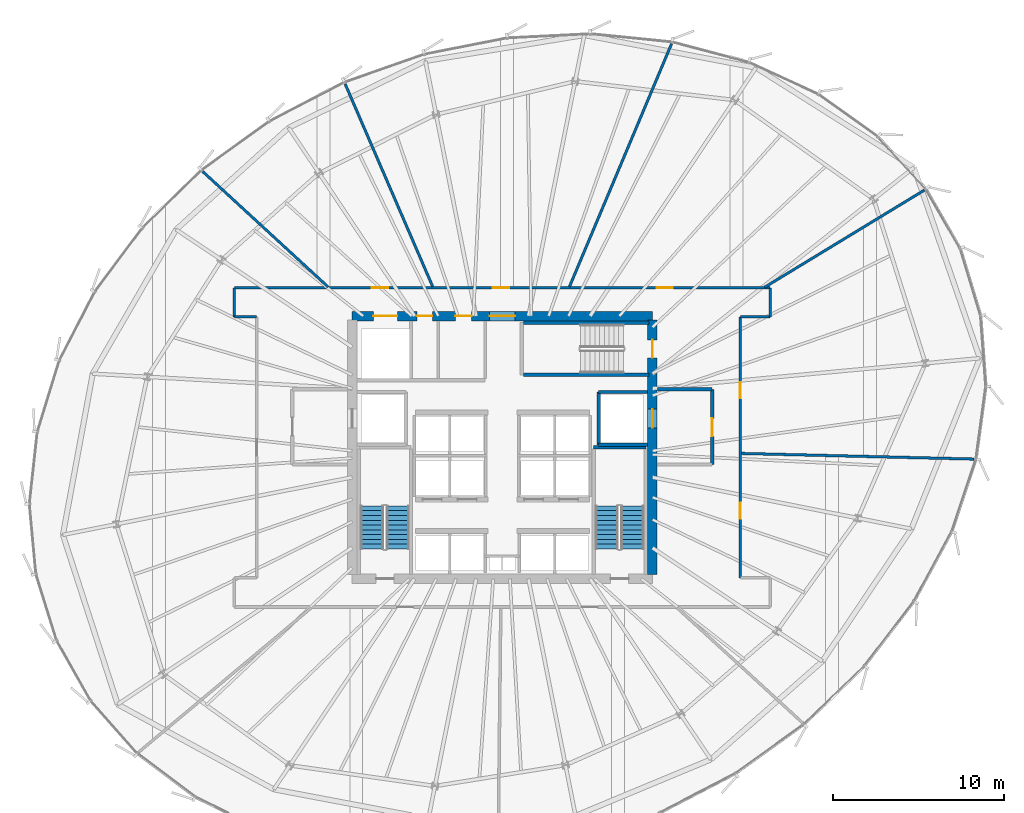
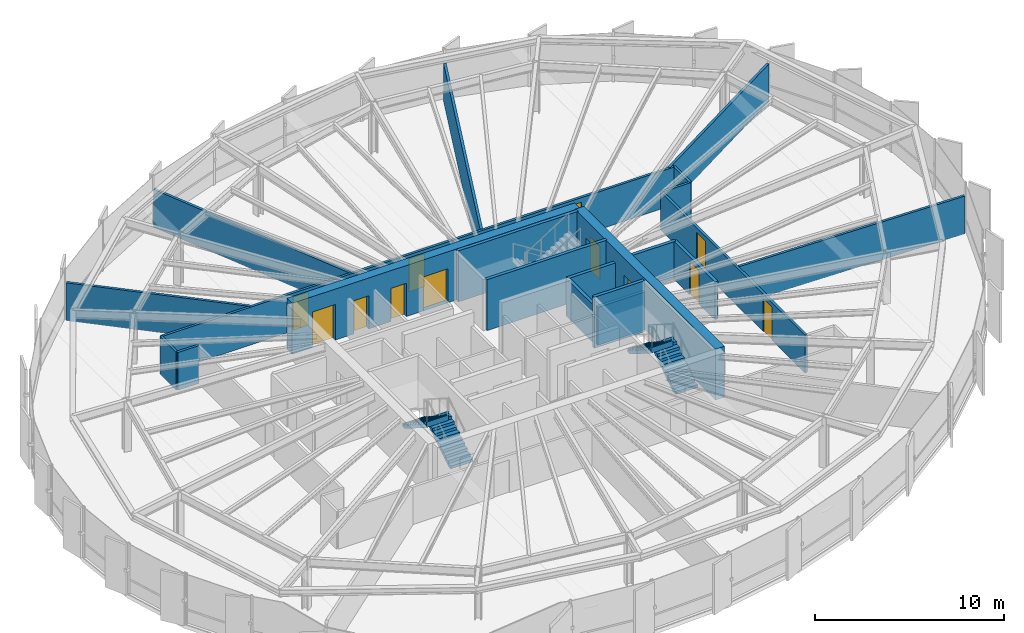
# One storey, part 29 of 34: 21 walls, 12 doors, 4 stair flights, 12 openings, 2 elements without a shape of their own.
"""IFC4 building model written with IfcOpenShell, lengths in metres."""

from ifc_helpers import new_model, si_unit, direction, frame, frame_2d, origin, place, context, subcontext, project, spatial, polyline, rectangle, outline, extrude, source, transform, mapped, material, layer, layer_set, type_object, element, fill, aggregate, save


model = new_model("IFC4")

# Units and contexts
model_context = context("Model", 3, precision=1e-05, world=origin(), true_north=direction((0.0, 1.0)))
body_context = subcontext(model_context, "Body", "Model", "MODEL_VIEW")
ifc_project = project(units=[si_unit("LENGTHUNIT", "METRE"), si_unit("AREAUNIT", "SQUARE_METRE"), si_unit("VOLUMEUNIT", "CUBIC_METRE"), si_unit("PLANEANGLEUNIT", "RADIAN"), si_unit("MASSUNIT", "GRAM", prefix="KILO"), si_unit("THERMODYNAMICTEMPERATUREUNIT", "KELVIN")], contexts=[model_context])

# Site, building, storey
site_placement = place(None, origin())
site = spatial("IfcSite", under=ifc_project, at=site_placement, CompositionType="ELEMENT")
building_placement = place(site_placement, origin())
building = spatial("IfcBuilding", under=site, at=building_placement, Name="Kethvar Cultural Tower", CompositionType="ELEMENT")
storey_placement = place(building_placement, frame((0.0, 0.0, 128.800048828125)))
storey = spatial("IfcBuildingStorey", under=building, at=storey_placement, Name="L32", CompositionType="ELEMENT", Elevation=128.800048828125)

# Wall, openings, doors
ifc_material_1 = material(Name="Concrete C60/75", Category="concrete")
ifc_layer_1 = layer(ifc_material_1, 0.550048828125, Name="Concrete C60/75", Category="concrete")
ifc_layer_set_1 = layer_set([ifc_layer_1], Name="Concrete C60/75 (550 mm)")
wall_type_1 = type_object("IfcWallType", Name="WL-CORE-550", PredefinedType="SHEAR", material=ifc_layer_set_1)
wall_1_placement = place(storey_placement, frame((55.60009765625, 35.5, 0.0), z_axis=(0.0, 0.0, 1.0), x_axis=(-1.0, 0.0, 0.0)))
wall_1 = element("IfcWall", 1, at=wall_1_placement, inside=storey, type_object=wall_type_1, Name="L32 Core Shear Wall N", PredefinedType="SHEAR", context=body_context, shape_type="SweptSolid", body=[
    extrude(rectangle(XDim=17.60009765625, YDim=0.550048828125, at=frame_2d((8.800048828125, 0.0))), origin(), (0.0, 0.0, 1.0), 3.300048828125),
])
opening_1_placement = place(wall_1_placement, frame((8.050048828125, 0.0, 0.0)))
opening_1 = element("IfcOpeningElement", 2, at=opening_1_placement, cuts=wall_1, Name="Opening D-L32-LN", PredefinedType="OPENING", context=body_context, shape_type="SweptSolid", body=[
    extrude(rectangle(XDim=1.5, YDim=2.199951171875, at=frame_2d((0.75, 1.10009765625))), frame((0.0, 0.284912109375, 0.0), z_axis=(0.0, -1.0, 0.0), x_axis=(1.0, 0.0, 0.0)), (0.0, 0.0, 1.0), 0.570068359375),
])
opening_2_placement = place(wall_1_placement, frame((14.949951171875, 0.0, 0.0)))
opening_2 = element("IfcOpeningElement", 3, at=opening_2_placement, cuts=wall_1, Name="Opening LD-G1", PredefinedType="OPENING", context=body_context, shape_type="SweptSolid", body=[
    extrude(rectangle(XDim=1.39990234375, YDim=2.300048828125, at=frame_2d((0.699951171875, 1.14990234375))), frame((0.0, 0.284912109375, 0.0), z_axis=(0.0, -1.0, 0.0), x_axis=(1.0, 0.0, 0.0)), (0.0, 0.0, 1.0), 0.570068359375),
])
opening_3_placement = place(wall_1_placement, frame((12.89990234375, 0.0, 0.0)))
opening_3 = element("IfcOpeningElement", 4, at=opening_3_placement, cuts=wall_1, Name="Opening D-L32-W1", PredefinedType="OPENING", context=body_context, shape_type="SweptSolid", body=[
    extrude(rectangle(XDim=0.89990234375, YDim=2.14990234375, at=frame_2d((0.449951171875, 1.074951171875))), frame((0.0, 0.284912109375, 0.0), z_axis=(0.0, -1.0, 0.0), x_axis=(1.0, 0.0, 0.0)), (0.0, 0.0, 1.0), 0.570068359375),
])
opening_4_placement = place(wall_1_placement, frame((10.60009765625, 0.0, 0.0)))
opening_4 = element("IfcOpeningElement", 5, at=opening_4_placement, cuts=wall_1, Name="Opening D-L32-W2", PredefinedType="OPENING", context=body_context, shape_type="SweptSolid", body=[
    extrude(rectangle(XDim=0.949951171875, YDim=2.14990234375, at=frame_2d((0.47509765625, 1.074951171875))), frame((0.0, 0.284912109375, 0.0), z_axis=(0.0, -1.0, 0.0), x_axis=(1.0, 0.0, 0.0)), (0.0, 0.0, 1.0), 0.570068359375),
])
ifc_material_2 = material(Name="Architectural Oak Timber", Category="wood")
door_type_1 = type_object("IfcDoorType", Name="DR-DBL-FD60-1500", OperationType="DOUBLE_DOOR_SINGLE_SWING", PredefinedType="DOOR", material=ifc_material_2)
shared_shape_1 = source(origin(), body_context, "Body", "SweptSolid", [
    extrude(rectangle(XDim=1.5, YDim=2.199951171875, at=frame_2d((0.75, 1.10009765625))), frame((0.0, 0.02490234375, 0.0), z_axis=(0.0, -1.0, 0.0), x_axis=(1.0, 0.0, 0.0)), (0.0, 0.0, 1.0), 0.050048828125),
])
door_1_placement = place(opening_1_placement, origin())
door_1 = element("IfcDoor", 6, at=door_1_placement, inside=storey, type_object=door_type_1, Name="L32 Lift Lobby Concourse Door", OperationType="DOUBLE_DOOR_SINGLE_SWING", OverallHeight=2.199951171875, OverallWidth=1.5, PredefinedType="DOOR", context=body_context, shape_type="MappedRepresentation", body=[
    mapped(shared_shape_1, transform((0.0, 0.0, 0.0), scale=1.0)),
])
fill(opening_1, door_1)
ifc_material_3 = material(Name="Steel S355J2", Category="steel")
door_type_2 = type_object("IfcDoorType", Name="DR-LIFT-SLIDE-1400", OperationType="NOTDEFINED", PredefinedType="DOOR", material=ifc_material_3)
shared_shape_2 = source(origin(), body_context, "Body", "SweptSolid", [
    extrude(rectangle(XDim=1.39990234375, YDim=2.300048828125, at=frame_2d((0.699951171875, 1.14990234375))), frame((0.0, 0.02490234375, 0.0), z_axis=(0.0, -1.0, 0.0), x_axis=(1.0, 0.0, 0.0)), (0.0, 0.0, 1.0), 0.050048828125),
])
door_2_placement = place(opening_2_placement, origin())
door_2 = element("IfcDoor", 7, at=door_2_placement, inside=storey, type_object=door_type_2, Name="L32 Goods Lift Landing Door", OperationType="SLIDING_TO_RIGHT", OverallHeight=2.300048828125, OverallWidth=1.39990234375, PredefinedType="DOOR", context=body_context, shape_type="MappedRepresentation", body=[
    mapped(shared_shape_2, transform((0.0, 0.0, 0.0), scale=1.0)),
])
fill(opening_2, door_2)
door_type_3 = type_object("IfcDoorType", Name="DR-FD30-950", OperationType="NOTDEFINED", PredefinedType="DOOR", material=ifc_material_2)
shared_shape_3 = source(origin(), body_context, "Body", "SweptSolid", [
    extrude(rectangle(XDim=0.949951171875, YDim=2.14990234375, at=frame_2d((0.47509765625, 1.074951171875))), frame((0.0, 0.02490234375, 0.0), z_axis=(0.0, -1.0, 0.0), x_axis=(1.0, 0.0, 0.0)), (0.0, 0.0, 1.0), 0.050048828125),
])
door_3_placement = place(opening_4_placement, origin())
door_3 = element("IfcDoor", 8, at=door_3_placement, inside=storey, type_object=door_type_3, Name="L32 Public Washroom Door", OperationType="SINGLE_SWING_RIGHT", OverallHeight=2.14990234375, OverallWidth=0.949951171875, PredefinedType="DOOR", context=body_context, shape_type="MappedRepresentation", body=[
    mapped(shared_shape_3, transform((0.0, 0.0, 0.0), scale=1.0)),
])
fill(opening_4, door_3)
door_type_4 = type_object("IfcDoorType", Name="DR-FD30-900", OperationType="NOTDEFINED", PredefinedType="DOOR", material=ifc_material_2)
shared_shape_4 = source(origin(), body_context, "Body", "SweptSolid", [
    extrude(rectangle(XDim=0.89990234375, YDim=2.14990234375, at=frame_2d((0.449951171875, 1.074951171875))), frame((0.0, 0.02490234375, 0.0), z_axis=(0.0, -1.0, 0.0), x_axis=(1.0, 0.0, 0.0)), (0.0, 0.0, 1.0), 0.050048828125),
])
door_4_placement = place(opening_3_placement, origin())
door_4 = element("IfcDoor", 9, at=door_4_placement, inside=storey, type_object=door_type_4, Name="L32 Accessible Washroom Door", OperationType="SINGLE_SWING_LEFT", OverallHeight=2.14990234375, OverallWidth=0.89990234375, PredefinedType="DOOR", context=body_context, shape_type="MappedRepresentation", body=[
    mapped(shared_shape_4, transform((0.0, 0.0, 0.0), scale=1.0)),
])
fill(opening_3, door_4)

wall_2_placement = place(storey_placement, frame((55.60009765625, 20.340087890625, 0.0), z_axis=(0.0, 0.0, 1.0), x_axis=(0.0, 1.0, 0.0)))
wall_2 = element("IfcWall", 10, at=wall_2_placement, inside=storey, type_object=wall_type_1, Name="L32 Core Shear Wall E", PredefinedType="SHEAR", context=body_context, shape_type="SweptSolid", body=[
    extrude(rectangle(XDim=14.919921875, YDim=0.550048828125, at=frame_2d((7.4599609375, 0.0))), origin(), (0.0, 0.0, 1.0), 3.300048828125),
])
opening_5_placement = place(wall_2_placement, frame((12.7099609375, 0.0, 0.0)))
opening_5 = element("IfcOpeningElement", 11, at=opening_5_placement, cuts=wall_2, Name="Opening D-L32-S3", PredefinedType="OPENING", context=body_context, shape_type="SweptSolid", body=[
    extrude(rectangle(XDim=1.050048828125, YDim=2.14990234375, at=frame_2d((0.52490234375, 1.074951171875))), frame((0.0, 0.284912109375, 0.0), z_axis=(0.0, -1.0, 0.0), x_axis=(1.0, 0.0, 0.0)), (0.0, 0.0, 1.0), 0.570068359375),
])
opening_6_placement = place(wall_2_placement, frame((8.610107421875, 0.0, 0.0)))
opening_6 = element("IfcOpeningElement", 12, at=opening_6_placement, cuts=wall_2, Name="Opening LD-2", PredefinedType="OPENING", context=body_context, shape_type="SweptSolid", body=[
    extrude(rectangle(XDim=1.10009765625, YDim=2.199951171875, at=frame_2d((0.550048828125, 1.10009765625))), frame((0.0, 0.284912109375, 0.0), z_axis=(0.0, -1.0, 0.0), x_axis=(1.0, 0.0, 0.0)), (0.0, 0.0, 1.0), 0.570068359375),
])
door_type_5 = type_object("IfcDoorType", Name="DR-FD60-1050", OperationType="NOTDEFINED", PredefinedType="DOOR", material=ifc_material_3)
shared_shape_5 = source(origin(), body_context, "Body", "SweptSolid", [
    extrude(rectangle(XDim=1.050048828125, YDim=2.14990234375, at=frame_2d((0.52490234375, 1.074951171875))), frame((0.0, 0.02490234375, 0.0), z_axis=(0.0, -1.0, 0.0), x_axis=(1.0, 0.0, 0.0)), (0.0, 0.0, 1.0), 0.050048828125),
])
door_5_placement = place(opening_5_placement, origin())
door_5 = element("IfcDoor", 13, at=door_5_placement, inside=storey, type_object=door_type_5, Name="L32 Exit Stair 3 Door", OperationType="SINGLE_SWING_LEFT", OverallHeight=2.14990234375, OverallWidth=1.050048828125, PredefinedType="DOOR", context=body_context, shape_type="MappedRepresentation", body=[
    mapped(shared_shape_5, transform((0.0, 0.0, 0.0), scale=1.0)),
])
fill(opening_5, door_5)
door_type_6 = type_object("IfcDoorType", Name="DR-LIFT-SLIDE-1100", OperationType="NOTDEFINED", PredefinedType="DOOR", material=ifc_material_3)
shared_shape_6 = source(origin(), body_context, "Body", "SweptSolid", [
    extrude(rectangle(XDim=1.10009765625, YDim=2.199951171875, at=frame_2d((0.550048828125, 1.10009765625))), frame((0.0, 0.02490234375, 0.0), z_axis=(0.0, -1.0, 0.0), x_axis=(1.0, 0.0, 0.0)), (0.0, 0.0, 1.0), 0.050048828125),
])
door_6_placement = place(opening_6_placement, origin())
door_6 = element("IfcDoor", 14, at=door_6_placement, inside=storey, type_object=door_type_6, Name="L32 Firefighting Lift Landing Door FFL-02", OperationType="SLIDING_TO_RIGHT", OverallHeight=2.199951171875, OverallWidth=1.10009765625, PredefinedType="DOOR", context=body_context, shape_type="MappedRepresentation", body=[
    mapped(shared_shape_6, transform((0.0, 0.0, 0.0), scale=1.0)),
])
fill(opening_6, door_6)

ifc_material_4 = material(Name="Gypsum Fireboard Partition")
ifc_layer_2 = layer(ifc_material_4, 0.14990234375, Name="Gypsum Fireboard Partition")
ifc_layer_set_2 = layer_set([ifc_layer_2], Name="Gypsum Fireboard Partition (150 mm)")
wall_type_2 = type_object("IfcWallType", Name="WL-FIRE-150", PredefinedType="PARTITIONING", material=ifc_layer_set_2)
wall_3_placement = place(storey_placement, frame((60.75, 20.14990234375, 0.0), z_axis=(0.0, 0.0, 1.0), x_axis=(0.0, 1.0, 0.0)))
wall_3 = element("IfcWall", 15, at=wall_3_placement, inside=storey, type_object=wall_type_2, Name="L32 Corridor Rated Wall EM", PredefinedType="PARTITIONING", context=body_context, shape_type="SweptSolid", body=[
    extrude(rectangle(XDim=15.300048828125, YDim=0.14990234375, at=frame_2d((7.64990234375, 0.0))), origin(), (0.0, 0.0, 1.0), 2.445068359375),
])
opening_7_placement = place(wall_3_placement, frame((3.46484375, 0.0, 0.0)))
opening_7 = element("IfcOpeningElement", 16, at=opening_7_placement, cuts=wall_3, Name="Opening D-L32-03", PredefinedType="OPENING", context=body_context, shape_type="SweptSolid", body=[
    extrude(rectangle(XDim=0.949951171875, YDim=2.14990234375, at=frame_2d((0.47509765625, 1.074951171875))), frame((0.0, 0.0849609375, 0.0), z_axis=(0.0, -1.0, 0.0), x_axis=(1.0, 0.0, 0.0)), (0.0, 0.0, 1.0), 0.169921875),
])
opening_8_placement = place(wall_3_placement, frame((10.534912109375, 0.0, 0.0)))
opening_8 = element("IfcOpeningElement", 17, at=opening_8_placement, cuts=wall_3, Name="Opening D-L32-04", PredefinedType="OPENING", context=body_context, shape_type="SweptSolid", body=[
    extrude(rectangle(XDim=0.949951171875, YDim=2.14990234375, at=frame_2d((0.47509765625, 1.074951171875))), frame((0.0, 0.0849609375, 0.0), z_axis=(0.0, -1.0, 0.0), x_axis=(1.0, 0.0, 0.0)), (0.0, 0.0, 1.0), 0.169921875),
])
door_7_placement = place(opening_7_placement, origin())
door_7 = element("IfcDoor", 18, at=door_7_placement, inside=storey, type_object=door_type_3, Name="L32 Ceramics Craft Workshop 03 Door", OperationType="SINGLE_SWING_LEFT", OverallHeight=2.14990234375, OverallWidth=0.949951171875, PredefinedType="DOOR", context=body_context, shape_type="MappedRepresentation", body=[
    mapped(shared_shape_3, transform((0.0, 0.0, 0.0), scale=1.0)),
])
fill(opening_7, door_7)
door_8_placement = place(opening_8_placement, origin())
door_8 = element("IfcDoor", 19, at=door_8_placement, inside=storey, type_object=door_type_3, Name="L32 Modernist Music Salon 04 Door", OperationType="SINGLE_SWING_RIGHT", OverallHeight=2.14990234375, OverallWidth=0.949951171875, PredefinedType="DOOR", context=body_context, shape_type="MappedRepresentation", body=[
    mapped(shared_shape_3, transform((0.0, 0.0, 0.0), scale=1.0)),
])
fill(opening_8, door_8)

# Walls
wall_4_placement = place(storey_placement, frame((60.75, 35.449951171875, 0.0), z_axis=(0.0, 0.0, 1.0), x_axis=(1.0, 0.0, 0.0)))
element("IfcWall", 20, at=wall_4_placement, inside=storey, type_object=wall_type_2, Name="L32 Corridor Rated Wall ENT", PredefinedType="PARTITIONING", context=body_context, shape_type="SweptSolid", body=[
    extrude(rectangle(XDim=1.75, YDim=0.14990234375, at=frame_2d((0.875, 0.0))), origin(), (0.0, 0.0, 1.0), 2.445068359375),
])
wall_5_placement = place(storey_placement, frame((62.5, 35.449951171875, 0.0), z_axis=(0.0, 0.0, 1.0), x_axis=(0.0, 1.0, 0.0)))
element("IfcWall", 21, at=wall_5_placement, inside=storey, type_object=wall_type_2, Name="L32 Corridor Rated Wall EN", PredefinedType="PARTITIONING", context=body_context, shape_type="SweptSolid", body=[
    extrude(rectangle(XDim=1.699951171875, YDim=0.14990234375, at=frame_2d((0.85009765625, 0.0))), origin(), (0.0, 0.0, 1.0), 2.445068359375),
])

# Wall, openings, doors
wall_6_placement = place(storey_placement, frame((62.5, 37.14990234375, 0.0), z_axis=(0.0, 0.0, 1.0), x_axis=(-1.0, 0.0, 0.0)))
wall_6 = element("IfcWall", 22, at=wall_6_placement, inside=storey, type_object=wall_type_2, Name="L32 Corridor Rated Wall N", PredefinedType="PARTITIONING", context=body_context, shape_type="SweptSolid", body=[
    extrude(rectangle(XDim=31.39990234375, YDim=0.14990234375, at=frame_2d((15.699951171875, 0.0))), origin(), (0.0, 0.0, 1.0), 2.445068359375),
])
opening_9_placement = place(wall_6_placement, frame((5.71142578125, 0.0, 0.0)))
opening_9 = element("IfcOpeningElement", 23, at=opening_9_placement, cuts=wall_6, Name="Opening D-L32-05", PredefinedType="OPENING", context=body_context, shape_type="SweptSolid", body=[
    extrude(rectangle(XDim=0.949951171875, YDim=2.14990234375, at=frame_2d((0.47509765625, 1.074951171875))), frame((0.0, 0.0849609375, 0.0), z_axis=(0.0, -1.0, 0.0), x_axis=(1.0, 0.0, 0.0)), (0.0, 0.0, 1.0), 0.169921875),
])
opening_10_placement = place(wall_6_placement, frame((15.29541015625, 0.0, 0.0)))
opening_10 = element("IfcOpeningElement", 24, at=opening_10_placement, cuts=wall_6, Name="Opening D-L32-06", PredefinedType="OPENING", context=body_context, shape_type="SweptSolid", body=[
    extrude(rectangle(XDim=0.949951171875, YDim=2.14990234375, at=frame_2d((0.47509765625, 1.074951171875))), frame((0.0, 0.0849609375, 0.0), z_axis=(0.0, -1.0, 0.0), x_axis=(1.0, 0.0, 0.0)), (0.0, 0.0, 1.0), 0.169921875),
])
opening_11_placement = place(wall_6_placement, frame((22.38818359375, 0.0, 0.0)))
opening_11 = element("IfcOpeningElement", 25, at=opening_11_placement, cuts=wall_6, Name="Opening D-L32-07", PredefinedType="OPENING", context=body_context, shape_type="SweptSolid", body=[
    extrude(rectangle(XDim=0.949951171875, YDim=2.14990234375, at=frame_2d((0.47509765625, 1.074951171875))), frame((0.0, 0.0849609375, 0.0), z_axis=(0.0, -1.0, 0.0), x_axis=(1.0, 0.0, 0.0)), (0.0, 0.0, 1.0), 0.169921875),
])
door_9_placement = place(opening_9_placement, origin())
door_9 = element("IfcDoor", 26, at=door_9_placement, inside=storey, type_object=door_type_3, Name="L32 Academic Study Lounge 05 Door", OperationType="SINGLE_SWING_LEFT", OverallHeight=2.14990234375, OverallWidth=0.949951171875, PredefinedType="DOOR", context=body_context, shape_type="MappedRepresentation", body=[
    mapped(shared_shape_3, transform((0.0, 0.0, 0.0), scale=1.0)),
])
fill(opening_9, door_9)
door_10_placement = place(opening_10_placement, origin())
door_10 = element("IfcDoor", 27, at=door_10_placement, inside=storey, type_object=door_type_3, Name="L32 Collection Archive Storage 06 Door", OperationType="SINGLE_SWING_RIGHT", OverallHeight=2.14990234375, OverallWidth=0.949951171875, PredefinedType="DOOR", context=body_context, shape_type="MappedRepresentation", body=[
    mapped(shared_shape_3, transform((0.0, 0.0, 0.0), scale=1.0)),
])
fill(opening_10, door_10)
door_11_placement = place(opening_11_placement, origin())
door_11 = element("IfcDoor", 28, at=door_11_placement, inside=storey, type_object=door_type_3, Name="L32 Laboratory Tea Pantry 07 Door", OperationType="SINGLE_SWING_LEFT", OverallHeight=2.14990234375, OverallWidth=0.949951171875, PredefinedType="DOOR", context=body_context, shape_type="MappedRepresentation", body=[
    mapped(shared_shape_3, transform((0.0, 0.0, 0.0), scale=1.0)),
])
fill(opening_11, door_11)

# Walls
wall_7_placement = place(storey_placement, frame((31.10009765625, 37.14990234375, 0.0), z_axis=(0.0, 0.0, 1.0), x_axis=(0.0, -1.0, 0.0)))
element("IfcWall", 29, at=wall_7_placement, inside=storey, type_object=wall_type_2, Name="L32 Corridor Rated Wall WN", PredefinedType="PARTITIONING", context=body_context, shape_type="SweptSolid", body=[
    extrude(rectangle(XDim=1.699951171875, YDim=0.14990234375, at=frame_2d((0.85009765625, 0.0))), origin(), (0.0, 0.0, 1.0), 2.445068359375),
])
wall_8_placement = place(storey_placement, frame((31.10009765625, 35.449951171875, 0.0), z_axis=(0.0, 0.0, 1.0), x_axis=(1.0, 0.0, 0.0)))
element("IfcWall", 30, at=wall_8_placement, inside=storey, type_object=wall_type_2, Name="L32 Corridor Rated Wall WNT", PredefinedType="PARTITIONING", context=body_context, shape_type="SweptSolid", body=[
    extrude(rectangle(XDim=1.2998046875, YDim=0.14990234375, at=frame_2d((0.64990234375, 0.0))), origin(), (0.0, 0.0, 1.0), 2.445068359375),
])
ifc_material_5 = material(Name="Concrete C40/50", Category="concrete")
ifc_layer_3 = layer(ifc_material_5, 0.199951171875, Name="Concrete C40/50", Category="concrete")
ifc_layer_set_3 = layer_set([ifc_layer_3], Name="Concrete C40/50 (200 mm)")
wall_type_3 = type_object("IfcWallType", Name="WL-FIRE-200", PredefinedType="PARTITIONING", material=ifc_layer_set_3)
wall_9_placement = place(storey_placement, frame((52.449951171875, 27.949951171875, 0.0), z_axis=(0.0, 0.0, 1.0), x_axis=(0.0, 1.0, 0.0)))
element("IfcWall", 31, at=wall_9_placement, inside=storey, type_object=wall_type_3, Name="L32 FFL-02 Shaft Inner Wall", PredefinedType="PARTITIONING", context=body_context, shape_type="SweptSolid", body=[
    extrude(rectangle(XDim=3.10009765625, YDim=0.199951171875, at=frame_2d((1.550048828125, 0.0))), origin(), (0.0, 0.0, 1.0), 2.445068359375),
])
for number, where, z_axis, x_axis, name in (
    (32, (52.449951171875, 27.949951171875, 0.0), (0.0, 0.0, 1.0), (1.0, 0.0, 0.0), "L32 FFL-02 Shaft South Wall"),
    (33, (52.449951171875, 31.050048828125, 0.0), (0.0, 0.0, 1.0), (1.0, 0.0, 0.0), "L32 FFL-02 Shaft North Wall"),
):
    element("IfcWall", number, at=place(storey_placement, frame(where, z_axis=z_axis, x_axis=x_axis)), inside=storey, type_object=wall_type_3, Name=name, PredefinedType="PARTITIONING", context=body_context, shape_type="SweptSolid", body=[
        extrude(rectangle(XDim=2.864990234375, YDim=0.199951171875, at=frame_2d((1.4326171875, 0.0))), origin(), (0.0, 0.0, 1.0), 2.445068359375),
    ])

# Wall, opening, door
wall_10_placement = place(storey_placement, frame((59.10009765625, 26.800048828125, 0.0), z_axis=(0.0, 0.0, 1.0), x_axis=(0.0, 1.0, 0.0)))
wall_10 = element("IfcWall", 34, at=wall_10_placement, inside=storey, type_object=wall_type_3, Name="L32 Firefighting Lobby 2 Wall", PredefinedType="PARTITIONING", context=body_context, shape_type="SweptSolid", body=[
    extrude(rectangle(XDim=4.39990234375, YDim=0.199951171875, at=frame_2d((2.199951171875, 0.0))), origin(), (0.0, 0.0, 1.0), 2.445068359375),
])
opening_12_placement = place(wall_10_placement, frame((1.64990234375, 0.0, 0.0)))
opening_12 = element("IfcOpeningElement", 35, at=opening_12_placement, cuts=wall_10, Name="Opening D-L32-F2", PredefinedType="OPENING", context=body_context, shape_type="SweptSolid", body=[
    extrude(rectangle(XDim=1.050048828125, YDim=2.14990234375, at=frame_2d((0.52490234375, 1.074951171875))), frame((0.0, 0.10986328125, 0.0), z_axis=(0.0, -1.0, 0.0), x_axis=(1.0, 0.0, 0.0)), (0.0, 0.0, 1.0), 0.219970703125),
])
door_12_placement = place(opening_12_placement, origin())
door_12 = element("IfcDoor", 36, at=door_12_placement, inside=storey, type_object=door_type_5, Name="L32 Firefighting Lobby 2 Fire Door", OperationType="SINGLE_SWING_LEFT", OverallHeight=2.14990234375, OverallWidth=1.050048828125, PredefinedType="DOOR", context=body_context, shape_type="MappedRepresentation", body=[
    mapped(shared_shape_5, transform((0.0, 0.0, 0.0), scale=1.0)),
])
fill(opening_12, door_12)

# Walls
wall_11_placement = place(storey_placement, frame((55.885009765625, 31.199951171875, 0.0), z_axis=(0.0, 0.0, 1.0), x_axis=(1.0, 0.0, 0.0)))
element("IfcWall", 37, at=wall_11_placement, inside=storey, type_object=wall_type_3, Name="L32 FF Lobby 2 North Wall", PredefinedType="PARTITIONING", context=body_context, shape_type="SweptSolid", body=[
    extrude(rectangle(XDim=3.215087890625, YDim=0.199951171875, at=frame_2d((1.607421875, 0.0))), origin(), (0.0, 0.0, 1.0), 2.445068359375),
])
ifc_material_6 = material(Name="Gypsum Acoustic Partition")
ifc_layer_4 = layer(ifc_material_6, 0.14990234375, Name="Gypsum Acoustic Partition")
ifc_layer_set_4 = layer_set([ifc_layer_4], Name="Gypsum Acoustic Partition (150 mm)")
wall_type_4 = type_object("IfcWallType", Name="WL-PART-150", PredefinedType="PARTITIONING", material=ifc_layer_set_4)
wall_12_placement = place(storey_placement, frame((60.830078125, 27.447998046875, 0.0), z_axis=(0.0, 0.0, 1.0), x_axis=(0.999707062654, -0.02420307585, 0.0)))
element("IfcWall", 38, at=wall_12_placement, inside=storey, type_object=wall_type_4, Name="L32 Radial Partition Wall 04", PredefinedType="PARTITIONING", context=body_context, shape_type="SweptSolid", body=[
    extrude(rectangle(XDim=13.627685546875, YDim=0.14990234375, at=frame_2d((6.81396484375, 0.0))), origin(), (0.0, 0.0, 1.0), 2.445068359375),
])
wall_13_placement = place(storey_placement, frame((62.180908203125, 37.191650390625, 0.0), z_axis=(0.0, 0.0, 1.0), x_axis=(0.854469173074, 0.519502100348, 0.0)))
element("IfcWall", 39, at=wall_13_placement, inside=storey, type_object=wall_type_4, Name="L32 Radial Partition Wall 05", PredefinedType="PARTITIONING", context=body_context, shape_type="SweptSolid", body=[
    extrude(rectangle(XDim=10.953125, YDim=0.14990234375, at=frame_2d((5.4765625, 0.0))), origin(), (0.0, 0.0, 1.0), 2.445068359375),
])
wall_14_placement = place(storey_placement, frame((50.73779296875, 37.223876953125, 0.0), z_axis=(0.0, 0.0, 1.0), x_axis=(0.387456696023, 0.921887904632, 0.0)))
element("IfcWall", 40, at=wall_14_placement, inside=storey, type_object=wall_type_4, Name="L32 Radial Partition Wall 06", PredefinedType="PARTITIONING", context=body_context, shape_type="SweptSolid", body=[
    extrude(rectangle(XDim=15.438232421875, YDim=0.14990234375, at=frame_2d((7.71923828125, 0.0))), origin(), (0.0, 0.0, 1.0), 2.445068359375),
])
wall_15_placement = place(storey_placement, frame((42.72216796875, 37.223388671875, 0.0), z_axis=(0.0, 0.0, 1.0), x_axis=(-0.396596155685, 0.917993185866, 0.0)))
element("IfcWall", 41, at=wall_15_placement, inside=storey, type_object=wall_type_4, Name="L32 Radial Partition Wall 07", PredefinedType="PARTITIONING", context=body_context, shape_type="SweptSolid", body=[
    extrude(rectangle(XDim=12.9365234375, YDim=0.14990234375, at=frame_2d((6.46826171875, 0.0))), origin(), (0.0, 0.0, 1.0), 2.445068359375),
])
wall_16_placement = place(storey_placement, frame((36.59423828125, 37.2041015625, 0.0), z_axis=(0.0, 0.0, 1.0), x_axis=(-0.735789683626, 0.67721011619, 0.0)))
element("IfcWall", 42, at=wall_16_placement, inside=storey, type_object=wall_type_4, Name="L32 Radial Partition Wall 08", PredefinedType="PARTITIONING", context=body_context, shape_type="SweptSolid", body=[
    extrude(rectangle(XDim=9.98583984375, YDim=0.14990234375, at=frame_2d((4.992919921875, 0.0))), origin(), (0.0, 0.0, 1.0), 2.445068359375),
])
ifc_material_7 = material(Name="Concrete C50/60", Category="concrete")
ifc_layer_5 = layer(ifc_material_7, 0.199951171875, Name="Concrete C50/60", Category="concrete")
ifc_layer_set_5 = layer_set([ifc_layer_5], Name="Concrete C50/60 (200 mm)")
wall_type_5 = type_object("IfcWallType", Name="WL-STSHAFT-200", PredefinedType="SHEAR", material=ifc_layer_set_5)
wall_17_placement = place(storey_placement, frame((52.14990234375, 27.800048828125, 0.0), z_axis=(0.0, 0.0, 1.0), x_axis=(1.0, 0.0, 0.0)))
element("IfcWall", 43, at=wall_17_placement, inside=storey, type_object=wall_type_5, Name="L32 ST-02 Stair Shaft Wall FAR", PredefinedType="SHEAR", context=body_context, shape_type="SweptSolid", body=[
    extrude(rectangle(XDim=3.06005859375, YDim=0.199951171875, at=frame_2d((1.530029296875, 0.0))), origin(), (0.0, 0.0, 1.0), 3.300048828125),
])
for number, where, z_axis, x_axis, name in (
    (44, (48.050048828125, 35.110107421875, 0.0), (0.0, 0.0, 1.0), (1.0, 0.0, 0.0), "L32 ST-03 Stair Shaft Wall LEFT"),
    (45, (55.39990234375, 32.050048828125, 0.0), (0.0, 0.0, 1.0), (-1.0, 0.0, 0.0), "L32 ST-03 Stair Shaft Wall RIGHT"),
):
    element("IfcWall", number, at=place(storey_placement, frame(where, z_axis=z_axis, x_axis=x_axis)), inside=storey, type_object=wall_type_5, Name=name, PredefinedType="SHEAR", context=body_context, shape_type="SweptSolid", body=[
        extrude(rectangle(XDim=7.349853515625, YDim=0.199951171875, at=frame_2d((3.6748046875, 0.0))), origin(), (0.0, 0.0, 1.0), 3.300048828125),
    ])

# Stair, stair flights
stair_type = type_object("IfcStairType", Name="ST-DOGLEG-135", PredefinedType="HALF_TURN_STAIR", material=ifc_material_5)
stair_1_placement = place(storey_placement, origin())
stair_1 = element("IfcStair", 46, at=stair_1_placement, inside=storey, type_object=stair_type, Name="L32 Core Exit Stair 1", PredefinedType="HALF_TURN_STAIR")
stair_flight_type = type_object("IfcStairFlightType", Name="FL-STRAIGHT-135", PredefinedType="STRAIGHT", material=ifc_material_5)
stair_flight_1_placement = place(storey_placement, frame((40.675048828125, 21.85009765625, 0.0), z_axis=(0.0, 0.0, 1.0), x_axis=(0.0, 1.0, 0.0)))
stair_flight_1 = element("IfcStairFlight", 47, at=stair_flight_1_placement, type_object=stair_flight_type, Name="ST-01 flight 1", NumberOfRisers=10, NumberOfTreads=9, PredefinedType="STRAIGHT", RiserHeight=0.1775, TreadLength=0.28, context=body_context, shape_type="SweptSolid", body=[
    extrude(outline(polyline([(-0.0009765625, -0.0009765625), (-0.0009765625, 0.177490234375), (0.280029296875, 0.177490234375), (0.280029296875, 0.35498046875), (0.56005859375, 0.35498046875), (0.56005859375, 0.532470703125), (0.840087890625, 0.532470703125), (0.840087890625, 0.7099609375), (1.1201171875, 0.7099609375), (1.1201171875, 0.887451171875), (1.39990234375, 0.887451171875), (1.39990234375, 1.06494140625), (1.679931640625, 1.06494140625), (1.679931640625, 1.242431640625), (1.9599609375, 1.242431640625), (1.9599609375, 1.419921875), (2.239990234375, 1.419921875), (2.239990234375, 1.597412109375), (2.52001953125, 1.597412109375), (2.52001953125, 1.77490234375), (2.52099609375, 1.77490234375), (2.52099609375, 1.419921875), (0.280029296875, 0.0), (0.0, -0.0009765625), (-0.0009765625, -0.0009765625)])), frame((0.0, 0.675048828125, 0.0), z_axis=(0.0, -1.0, 0.0), x_axis=(1.0, 0.0, 0.0)), (0.0, 0.0, 1.0), 1.35009765625),
])
stair_flight_2_placement = place(storey_placement, frame((39.1650390625, 24.3701171875, 1.77490234375), z_axis=(0.0, 0.0, 1.0), x_axis=(0.0, -1.0, 0.0)))
stair_flight_2 = element("IfcStairFlight", 48, at=stair_flight_2_placement, type_object=stair_flight_type, Name="ST-01 flight 2", NumberOfRisers=10, NumberOfTreads=9, PredefinedType="STRAIGHT", RiserHeight=0.1775, TreadLength=0.28, context=body_context, shape_type="SweptSolid", body=[
    extrude(outline(polyline([(-0.0009765625, -0.0009765625), (-0.0009765625, 0.177490234375), (0.280029296875, 0.177490234375), (0.280029296875, 0.35498046875), (0.56005859375, 0.35498046875), (0.56005859375, 0.532470703125), (0.840087890625, 0.532470703125), (0.840087890625, 0.7099609375), (1.1201171875, 0.7099609375), (1.1201171875, 0.887451171875), (1.39990234375, 0.887451171875), (1.39990234375, 1.06494140625), (1.679931640625, 1.06494140625), (1.679931640625, 1.242431640625), (1.9599609375, 1.242431640625), (1.9599609375, 1.419921875), (2.239990234375, 1.419921875), (2.239990234375, 1.597412109375), (2.52001953125, 1.597412109375), (2.52001953125, 1.77490234375), (2.52099609375, 1.77490234375), (2.52099609375, 1.419921875), (0.280029296875, 0.0), (0.0, -0.0009765625), (-0.0009765625, -0.0009765625)])), frame((0.0, 0.675048828125, 0.0), z_axis=(0.0, -1.0, 0.0), x_axis=(1.0, 0.0, 0.0)), (0.0, 0.0, 1.0), 1.35009765625),
])
aggregate(stair_1, [stair_flight_1, stair_flight_2])

stair_2_placement = place(storey_placement, origin())
stair_2 = element("IfcStair", 49, at=stair_2_placement, inside=storey, type_object=stair_type, Name="L32 Core Exit Stair 2", PredefinedType="HALF_TURN_STAIR")
stair_flight_3_placement = place(storey_placement, frame((54.43505859375, 21.85009765625, 0.0), z_axis=(0.0, 0.0, 1.0), x_axis=(0.0, 1.0, 0.0)))
stair_flight_3 = element("IfcStairFlight", 50, at=stair_flight_3_placement, type_object=stair_flight_type, Name="ST-02 flight 1", NumberOfRisers=10, NumberOfTreads=9, PredefinedType="STRAIGHT", RiserHeight=0.1775, TreadLength=0.28, context=body_context, shape_type="SweptSolid", body=[
    extrude(outline(polyline([(-0.0009765625, -0.0009765625), (-0.0009765625, 0.177490234375), (0.280029296875, 0.177490234375), (0.280029296875, 0.35498046875), (0.56005859375, 0.35498046875), (0.56005859375, 0.532470703125), (0.840087890625, 0.532470703125), (0.840087890625, 0.7099609375), (1.1201171875, 0.7099609375), (1.1201171875, 0.887451171875), (1.39990234375, 0.887451171875), (1.39990234375, 1.06494140625), (1.679931640625, 1.06494140625), (1.679931640625, 1.242431640625), (1.9599609375, 1.242431640625), (1.9599609375, 1.419921875), (2.239990234375, 1.419921875), (2.239990234375, 1.597412109375), (2.52001953125, 1.597412109375), (2.52001953125, 1.77490234375), (2.52099609375, 1.77490234375), (2.52099609375, 1.419921875), (0.280029296875, 0.0), (0.0, -0.0009765625), (-0.0009765625, -0.0009765625)])), frame((0.0, 0.675048828125, 0.0), z_axis=(0.0, -1.0, 0.0), x_axis=(1.0, 0.0, 0.0)), (0.0, 0.0, 1.0), 1.35009765625),
])
stair_flight_4_placement = place(storey_placement, frame((52.925048828125, 24.3701171875, 1.77490234375), z_axis=(0.0, 0.0, 1.0), x_axis=(0.0, -1.0, 0.0)))
stair_flight_4 = element("IfcStairFlight", 51, at=stair_flight_4_placement, type_object=stair_flight_type, Name="ST-02 flight 2", NumberOfRisers=10, NumberOfTreads=9, PredefinedType="STRAIGHT", RiserHeight=0.1775, TreadLength=0.28, context=body_context, shape_type="SweptSolid", body=[
    extrude(outline(polyline([(-0.0009765625, -0.0009765625), (-0.0009765625, 0.177490234375), (0.280029296875, 0.177490234375), (0.280029296875, 0.35498046875), (0.56005859375, 0.35498046875), (0.56005859375, 0.532470703125), (0.840087890625, 0.532470703125), (0.840087890625, 0.7099609375), (1.1201171875, 0.7099609375), (1.1201171875, 0.887451171875), (1.39990234375, 0.887451171875), (1.39990234375, 1.06494140625), (1.679931640625, 1.06494140625), (1.679931640625, 1.242431640625), (1.9599609375, 1.242431640625), (1.9599609375, 1.419921875), (2.239990234375, 1.419921875), (2.239990234375, 1.597412109375), (2.52001953125, 1.597412109375), (2.52001953125, 1.77490234375), (2.52099609375, 1.77490234375), (2.52099609375, 1.419921875), (0.280029296875, 0.0), (0.0, -0.0009765625), (-0.0009765625, -0.0009765625)])), frame((0.0, 0.675048828125, 0.0), z_axis=(0.0, -1.0, 0.0), x_axis=(1.0, 0.0, 0.0)), (0.0, 0.0, 1.0), 1.35009765625),
])
aggregate(stair_2, [stair_flight_3, stair_flight_4])

save(model, "model.ifc")
